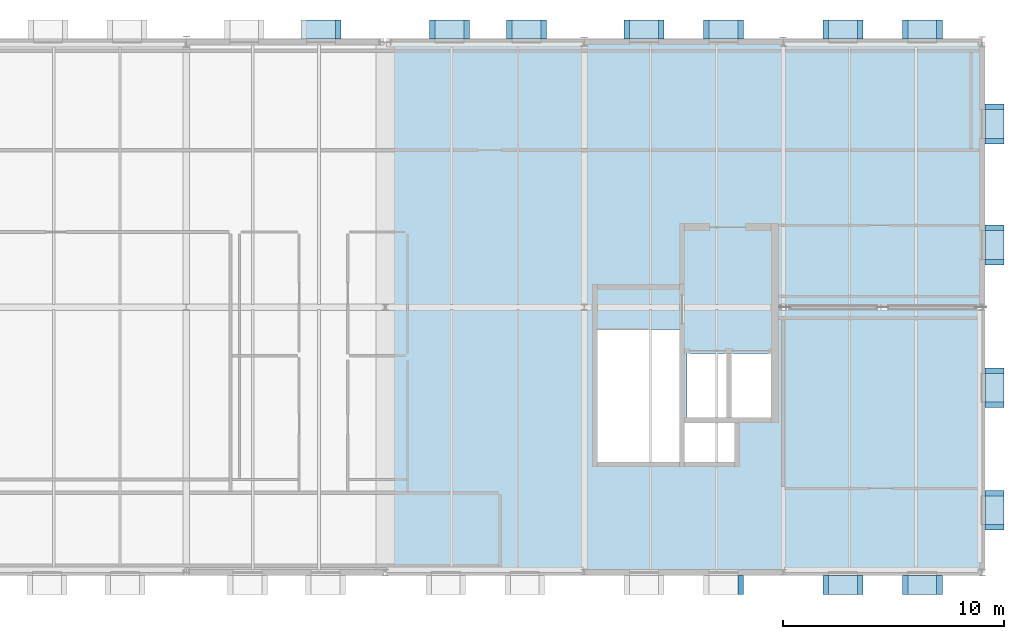
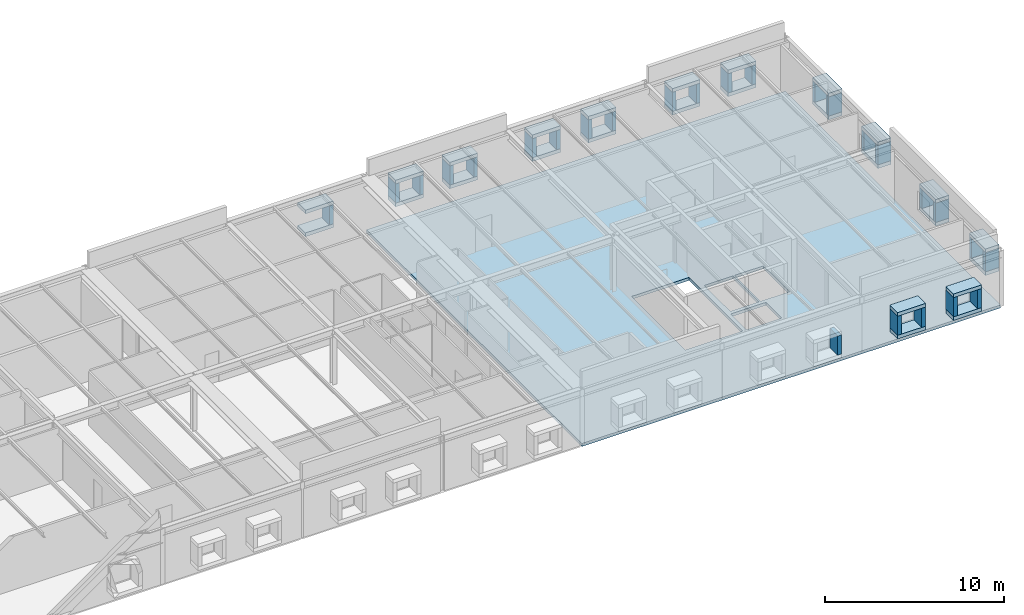
# One storey, part 7 of 16: 52 plates, 1 slab.
"""IFC4 building model written with IfcOpenShell, lengths in metres."""

from ifc_helpers import new_model, si_unit, direction, frame, origin, origin_2d, place, context, subcontext, project, spatial, polyline, rectangle, outline, extrude, material, layer, layer_set, type_object, element, save


model = new_model("IFC4")

# Units and contexts
model_context = context("Model", 3, precision=1e-05, world=origin(), true_north=direction((0.0, 1.0)))
body_context = subcontext(model_context, "Body", "Model", "MODEL_VIEW")
ifc_project = project(units=[si_unit("LENGTHUNIT", "METRE"), si_unit("AREAUNIT", "SQUARE_METRE"), si_unit("VOLUMEUNIT", "CUBIC_METRE"), si_unit("PLANEANGLEUNIT", "RADIAN"), si_unit("MASSUNIT", "GRAM", prefix="KILO")], contexts=[model_context])

# Site, building, storey
site_placement = place(None, origin())
site = spatial("IfcSite", under=ifc_project, at=site_placement, CompositionType="ELEMENT")
building_placement = place(site_placement, origin())
building = spatial("IfcBuilding", under=site, at=building_placement, Name="Montelvaro Courts of Justice", CompositionType="ELEMENT")
storey_placement = place(building_placement, frame((0.0, 0.0, 35.39990234375)))
storey = spatial("IfcBuildingStorey", under=building, at=storey_placement, Name="L08", CompositionType="ELEMENT", Elevation=35.39990234375)

# Slab
ifc_material_1 = material(Name="Concrete C35/45", Category="concrete")
ifc_layer_1 = layer(ifc_material_1, 0.199951171875)
ifc_layer_set_1 = layer_set([ifc_layer_1], Name="Concrete C35/45")
slab_type = type_object("IfcSlabType", Name="FloorSlab_200", PredefinedType="FLOOR", material=ifc_layer_set_1)
slab_placement = place(storey_placement, frame((0.0, 0.0, -0.199951171875)))
element("IfcSlab", 1, at=slab_placement, inside=storey, type_object=slab_type, Name="Structural Slab SF-09 L08", PredefinedType="FLOOR", context=body_context, shape_type="SweptSolid", body=[
    extrude(outline(polyline([(99.050048828125, 0.0), (126.0, 0.0), (126.0, 24.0), (99.050048828125, 24.0), (99.050048828125, 0.0)]), holes=[polyline([(108.60009765625, 5.0), (112.300048828125, 5.0), (112.300048828125, 11.0), (108.60009765625, 11.0), (108.60009765625, 5.0)]), polyline([(112.5400390625, 5.0), (114.800048828125, 5.0), (114.800048828125, 6.760009765625), (112.5400390625, 6.760009765625), (112.5400390625, 5.0)]), polyline([(112.64990234375, 7.0), (114.5, 7.0), (114.5, 9.89990234375), (112.64990234375, 9.89990234375), (112.64990234375, 7.0)]), polyline([(114.60009765625, 7.0), (116.449951171875, 7.0), (116.449951171875, 9.89990234375), (114.60009765625, 9.89990234375), (114.60009765625, 7.0)])]), origin(), (0.0, 0.0, 1.0), 0.199951171875),
])

# Plates
ifc_material_2 = material(Name="White mineral precast concrete C45/55", Category="concrete")
ifc_layer_2 = layer(ifc_material_2, 0.25)
ifc_layer_set_2 = layer_set([ifc_layer_2], Name="White mineral precast concrete C45/55")
plate_type = type_object("IfcPlateType", Name="PrecastSquareFrame_250x850", PredefinedType="SHEET", material=ifc_layer_set_2)
for number, where, z_axis, x_axis, name in (
    (2, (96.093994140625, 24.56005859375, 2.35009765625), (0.0, 0.0, 1.0), (-1.0, 0.0, 0.0), "Graduated Square Window Frame PF-03 W-L08-394 TOP"),
    (3, (96.093994140625, 24.56005859375, 0.800048828125), (0.0, 0.0, 1.0), (-1.0, 0.0, 0.0), "Graduated Square Window Frame PF-03 W-L08-394 BOT"),
):
    element("IfcPlate", number, at=place(storey_placement, frame(where, z_axis=z_axis, x_axis=x_axis)), inside=storey, type_object=plate_type, Name=name, PredefinedType="SHEET", context=body_context, shape_type="SweptSolid", body=[
        extrude(rectangle(XDim=1.800048828125, YDim=0.860107421875, at=origin_2d()), origin(), (0.0, 0.0, 1.0), 0.25),
    ])
for number, where, z_axis, x_axis, name in (
    (4, (96.868896484375, 24.56005859375, 1.05029296875), (0.0, 0.0, 1.0), (-1.0, 0.0, 0.0), "Graduated Square Window Frame PF-03 W-L08-394 L"),
    (5, (115.072021484375, -0.56005859375, 1.05029296875), (0.0, 0.0, 1.0), (1.0, 0.0, 0.0), "Graduated Square Window Frame PF-03 W-L08-401 R"),
):
    element("IfcPlate", number, at=place(storey_placement, frame(where, z_axis=z_axis, x_axis=x_axis)), inside=storey, type_object=plate_type, Name=name, PredefinedType="SHEET", context=body_context, shape_type="SweptSolid", body=[
        extrude(rectangle(XDim=0.25, YDim=0.860107421875, at=origin_2d()), origin(), (0.0, 0.0, 1.0), 1.300048828125),
    ])
for number, where, z_axis, x_axis, name in (
    (6, (119.702880859375, -0.56005859375, 2.35009765625), (0.0, 0.0, 1.0), (1.0, 0.0, 0.0), "Graduated Square Window Frame PF-03 W-L08-402 TOP"),
    (7, (119.702880859375, -0.56005859375, 0.800048828125), (0.0, 0.0, 1.0), (1.0, 0.0, 0.0), "Graduated Square Window Frame PF-03 W-L08-402 BOT"),
):
    element("IfcPlate", number, at=place(storey_placement, frame(where, z_axis=z_axis, x_axis=x_axis)), inside=storey, type_object=plate_type, Name=name, PredefinedType="SHEET", context=body_context, shape_type="SweptSolid", body=[
        extrude(rectangle(XDim=1.800048828125, YDim=0.860107421875, at=origin_2d()), origin(), (0.0, 0.0, 1.0), 0.25),
    ])
for number, where, z_axis, x_axis, name in (
    (8, (118.927978515625, -0.56005859375, 1.05029296875), (0.0, 0.0, 1.0), (1.0, 0.0, 0.0), "Graduated Square Window Frame PF-03 W-L08-402 L"),
    (9, (120.47802734375, -0.56005859375, 1.05029296875), (0.0, 0.0, 1.0), (1.0, 0.0, 0.0), "Graduated Square Window Frame PF-03 W-L08-402 R"),
):
    element("IfcPlate", number, at=place(storey_placement, frame(where, z_axis=z_axis, x_axis=x_axis)), inside=storey, type_object=plate_type, Name=name, PredefinedType="SHEET", context=body_context, shape_type="SweptSolid", body=[
        extrude(rectangle(XDim=0.25, YDim=0.860107421875, at=origin_2d()), origin(), (0.0, 0.0, 1.0), 1.300048828125),
    ])
for number, where, z_axis, x_axis, name in (
    (10, (123.297119140625, -0.56005859375, 2.35009765625), (0.0, 0.0, 1.0), (1.0, 0.0, 0.0), "Graduated Square Window Frame PF-03 W-L08-403 TOP"),
    (11, (123.297119140625, -0.56005859375, 0.800048828125), (0.0, 0.0, 1.0), (1.0, 0.0, 0.0), "Graduated Square Window Frame PF-03 W-L08-403 BOT"),
):
    element("IfcPlate", number, at=place(storey_placement, frame(where, z_axis=z_axis, x_axis=x_axis)), inside=storey, type_object=plate_type, Name=name, PredefinedType="SHEET", context=body_context, shape_type="SweptSolid", body=[
        extrude(rectangle(XDim=1.800048828125, YDim=0.860107421875, at=origin_2d()), origin(), (0.0, 0.0, 1.0), 0.25),
    ])
for number, where, z_axis, x_axis, name in (
    (12, (122.52197265625, -0.56005859375, 1.05029296875), (0.0, 0.0, 1.0), (1.0, 0.0, 0.0), "Graduated Square Window Frame PF-03 W-L08-403 L"),
    (13, (124.072021484375, -0.56005859375, 1.05029296875), (0.0, 0.0, 1.0), (1.0, 0.0, 0.0), "Graduated Square Window Frame PF-03 W-L08-403 R"),
):
    element("IfcPlate", number, at=place(storey_placement, frame(where, z_axis=z_axis, x_axis=x_axis)), inside=storey, type_object=plate_type, Name=name, PredefinedType="SHEET", context=body_context, shape_type="SweptSolid", body=[
        extrude(rectangle(XDim=0.25, YDim=0.860107421875, at=origin_2d()), origin(), (0.0, 0.0, 1.0), 1.300048828125),
    ])
for number, where, z_axis, x_axis, name in (
    (14, (126.56005859375, 2.81005859375, 2.35009765625), (0.0, 0.0, 1.0), (0.0, 1.0, 0.0), "Graduated Square Window Frame PF-03 W-L08-404 TOP"),
    (15, (126.56005859375, 2.81005859375, 0.800048828125), (0.0, 0.0, 1.0), (0.0, 1.0, 0.0), "Graduated Square Window Frame PF-03 W-L08-404 BOT"),
):
    element("IfcPlate", number, at=place(storey_placement, frame(where, z_axis=z_axis, x_axis=x_axis)), inside=storey, type_object=plate_type, Name=name, PredefinedType="SHEET", context=body_context, shape_type="SweptSolid", body=[
        extrude(rectangle(XDim=1.800048828125, YDim=0.860107421875, at=origin_2d()), origin(), (0.0, 0.0, 1.0), 0.25),
    ])
for number, where, z_axis, x_axis, name in (
    (16, (126.56005859375, 2.034912109375, 1.05029296875), (0.0, 0.0, 1.0), (0.0, 1.0, 0.0), "Graduated Square Window Frame PF-03 W-L08-404 L"),
    (17, (126.56005859375, 3.5849609375, 1.05029296875), (0.0, 0.0, 1.0), (0.0, 1.0, 0.0), "Graduated Square Window Frame PF-03 W-L08-404 R"),
):
    element("IfcPlate", number, at=place(storey_placement, frame(where, z_axis=z_axis, x_axis=x_axis)), inside=storey, type_object=plate_type, Name=name, PredefinedType="SHEET", context=body_context, shape_type="SweptSolid", body=[
        extrude(rectangle(XDim=0.25, YDim=0.860107421875, at=origin_2d()), origin(), (0.0, 0.0, 1.0), 1.300048828125),
    ])
for number, where, z_axis, x_axis, name in (
    (18, (126.56005859375, 8.35205078125, 2.35009765625), (0.0, 0.0, 1.0), (0.0, 1.0, 0.0), "Graduated Square Window Frame PF-03 W-L08-405 TOP"),
    (19, (126.56005859375, 8.35205078125, 0.800048828125), (0.0, 0.0, 1.0), (0.0, 1.0, 0.0), "Graduated Square Window Frame PF-03 W-L08-405 BOT"),
):
    element("IfcPlate", number, at=place(storey_placement, frame(where, z_axis=z_axis, x_axis=x_axis)), inside=storey, type_object=plate_type, Name=name, PredefinedType="SHEET", context=body_context, shape_type="SweptSolid", body=[
        extrude(rectangle(XDim=1.800048828125, YDim=0.860107421875, at=origin_2d()), origin(), (0.0, 0.0, 1.0), 0.25),
    ])
for number, where, z_axis, x_axis, name in (
    (20, (126.56005859375, 7.576904296875, 1.05029296875), (0.0, 0.0, 1.0), (0.0, 1.0, 0.0), "Graduated Square Window Frame PF-03 W-L08-405 L"),
    (21, (126.56005859375, 9.126953125, 1.05029296875), (0.0, 0.0, 1.0), (0.0, 1.0, 0.0), "Graduated Square Window Frame PF-03 W-L08-405 R"),
):
    element("IfcPlate", number, at=place(storey_placement, frame(where, z_axis=z_axis, x_axis=x_axis)), inside=storey, type_object=plate_type, Name=name, PredefinedType="SHEET", context=body_context, shape_type="SweptSolid", body=[
        extrude(rectangle(XDim=0.25, YDim=0.860107421875, at=origin_2d()), origin(), (0.0, 0.0, 1.0), 1.300048828125),
    ])
for number, where, z_axis, x_axis, name in (
    (22, (126.56005859375, 14.81005859375, 2.35009765625), (0.0, 0.0, 1.0), (0.0, 1.0, 0.0), "Graduated Square Window Frame PF-03 W-L08-406 TOP"),
    (23, (126.56005859375, 14.81005859375, 0.800048828125), (0.0, 0.0, 1.0), (0.0, 1.0, 0.0), "Graduated Square Window Frame PF-03 W-L08-406 BOT"),
):
    element("IfcPlate", number, at=place(storey_placement, frame(where, z_axis=z_axis, x_axis=x_axis)), inside=storey, type_object=plate_type, Name=name, PredefinedType="SHEET", context=body_context, shape_type="SweptSolid", body=[
        extrude(rectangle(XDim=1.800048828125, YDim=0.860107421875, at=origin_2d()), origin(), (0.0, 0.0, 1.0), 0.25),
    ])
for number, where, z_axis, x_axis, name in (
    (24, (126.56005859375, 14.034912109375, 1.05029296875), (0.0, 0.0, 1.0), (0.0, 1.0, 0.0), "Graduated Square Window Frame PF-03 W-L08-406 L"),
    (25, (126.56005859375, 15.5849609375, 1.05029296875), (0.0, 0.0, 1.0), (0.0, 1.0, 0.0), "Graduated Square Window Frame PF-03 W-L08-406 R"),
):
    element("IfcPlate", number, at=place(storey_placement, frame(where, z_axis=z_axis, x_axis=x_axis)), inside=storey, type_object=plate_type, Name=name, PredefinedType="SHEET", context=body_context, shape_type="SweptSolid", body=[
        extrude(rectangle(XDim=0.25, YDim=0.860107421875, at=origin_2d()), origin(), (0.0, 0.0, 1.0), 1.300048828125),
    ])
for number, where, z_axis, x_axis, name in (
    (26, (126.56005859375, 20.281982421875, 2.35009765625), (0.0, 0.0, 1.0), (0.0, 1.0, 0.0), "Graduated Square Window Frame PF-03 W-L08-407 TOP"),
    (27, (126.56005859375, 20.281982421875, 0.800048828125), (0.0, 0.0, 1.0), (0.0, 1.0, 0.0), "Graduated Square Window Frame PF-03 W-L08-407 BOT"),
):
    element("IfcPlate", number, at=place(storey_placement, frame(where, z_axis=z_axis, x_axis=x_axis)), inside=storey, type_object=plate_type, Name=name, PredefinedType="SHEET", context=body_context, shape_type="SweptSolid", body=[
        extrude(rectangle(XDim=1.800048828125, YDim=0.860107421875, at=origin_2d()), origin(), (0.0, 0.0, 1.0), 0.25),
    ])
for number, where, z_axis, x_axis, name in (
    (28, (126.56005859375, 19.507080078125, 1.05029296875), (0.0, 0.0, 1.0), (0.0, 1.0, 0.0), "Graduated Square Window Frame PF-03 W-L08-407 L"),
    (29, (126.56005859375, 21.056884765625, 1.05029296875), (0.0, 0.0, 1.0), (0.0, 1.0, 0.0), "Graduated Square Window Frame PF-03 W-L08-407 R"),
):
    element("IfcPlate", number, at=place(storey_placement, frame(where, z_axis=z_axis, x_axis=x_axis)), inside=storey, type_object=plate_type, Name=name, PredefinedType="SHEET", context=body_context, shape_type="SweptSolid", body=[
        extrude(rectangle(XDim=0.25, YDim=0.860107421875, at=origin_2d()), origin(), (0.0, 0.0, 1.0), 1.300048828125),
    ])
for number, where, z_axis, x_axis, name in (
    (30, (123.297119140625, 24.56005859375, 2.35009765625), (0.0, 0.0, 1.0), (-1.0, 0.0, 0.0), "Graduated Square Window Frame PF-03 W-L08-408 TOP"),
    (31, (123.297119140625, 24.56005859375, 0.800048828125), (0.0, 0.0, 1.0), (-1.0, 0.0, 0.0), "Graduated Square Window Frame PF-03 W-L08-408 BOT"),
):
    element("IfcPlate", number, at=place(storey_placement, frame(where, z_axis=z_axis, x_axis=x_axis)), inside=storey, type_object=plate_type, Name=name, PredefinedType="SHEET", context=body_context, shape_type="SweptSolid", body=[
        extrude(rectangle(XDim=1.800048828125, YDim=0.860107421875, at=origin_2d()), origin(), (0.0, 0.0, 1.0), 0.25),
    ])
for number, where, z_axis, x_axis, name in (
    (32, (124.072021484375, 24.56005859375, 1.05029296875), (0.0, 0.0, 1.0), (-1.0, 0.0, 0.0), "Graduated Square Window Frame PF-03 W-L08-408 L"),
    (33, (122.52197265625, 24.56005859375, 1.05029296875), (0.0, 0.0, 1.0), (-1.0, 0.0, 0.0), "Graduated Square Window Frame PF-03 W-L08-408 R"),
):
    element("IfcPlate", number, at=place(storey_placement, frame(where, z_axis=z_axis, x_axis=x_axis)), inside=storey, type_object=plate_type, Name=name, PredefinedType="SHEET", context=body_context, shape_type="SweptSolid", body=[
        extrude(rectangle(XDim=0.25, YDim=0.860107421875, at=origin_2d()), origin(), (0.0, 0.0, 1.0), 1.300048828125),
    ])
for number, where, z_axis, x_axis, name in (
    (34, (119.702880859375, 24.56005859375, 2.35009765625), (0.0, 0.0, 1.0), (-1.0, 0.0, 0.0), "Graduated Square Window Frame PF-03 W-L08-409 TOP"),
    (35, (119.702880859375, 24.56005859375, 0.800048828125), (0.0, 0.0, 1.0), (-1.0, 0.0, 0.0), "Graduated Square Window Frame PF-03 W-L08-409 BOT"),
):
    element("IfcPlate", number, at=place(storey_placement, frame(where, z_axis=z_axis, x_axis=x_axis)), inside=storey, type_object=plate_type, Name=name, PredefinedType="SHEET", context=body_context, shape_type="SweptSolid", body=[
        extrude(rectangle(XDim=1.800048828125, YDim=0.860107421875, at=origin_2d()), origin(), (0.0, 0.0, 1.0), 0.25),
    ])
for number, where, z_axis, x_axis, name in (
    (36, (120.47802734375, 24.56005859375, 1.05029296875), (0.0, 0.0, 1.0), (-1.0, 0.0, 0.0), "Graduated Square Window Frame PF-03 W-L08-409 L"),
    (37, (118.927978515625, 24.56005859375, 1.05029296875), (0.0, 0.0, 1.0), (-1.0, 0.0, 0.0), "Graduated Square Window Frame PF-03 W-L08-409 R"),
):
    element("IfcPlate", number, at=place(storey_placement, frame(where, z_axis=z_axis, x_axis=x_axis)), inside=storey, type_object=plate_type, Name=name, PredefinedType="SHEET", context=body_context, shape_type="SweptSolid", body=[
        extrude(rectangle(XDim=0.25, YDim=0.860107421875, at=origin_2d()), origin(), (0.0, 0.0, 1.0), 1.300048828125),
    ])
for number, where, z_axis, x_axis, name in (
    (38, (114.297119140625, 24.56005859375, 2.35009765625), (0.0, 0.0, 1.0), (-1.0, 0.0, 0.0), "Graduated Square Window Frame PF-03 W-L08-410 TOP"),
    (39, (114.297119140625, 24.56005859375, 0.800048828125), (0.0, 0.0, 1.0), (-1.0, 0.0, 0.0), "Graduated Square Window Frame PF-03 W-L08-410 BOT"),
):
    element("IfcPlate", number, at=place(storey_placement, frame(where, z_axis=z_axis, x_axis=x_axis)), inside=storey, type_object=plate_type, Name=name, PredefinedType="SHEET", context=body_context, shape_type="SweptSolid", body=[
        extrude(rectangle(XDim=1.800048828125, YDim=0.860107421875, at=origin_2d()), origin(), (0.0, 0.0, 1.0), 0.25),
    ])
for number, where, z_axis, x_axis, name in (
    (40, (115.072021484375, 24.56005859375, 1.05029296875), (0.0, 0.0, 1.0), (-1.0, 0.0, 0.0), "Graduated Square Window Frame PF-03 W-L08-410 L"),
    (41, (113.52197265625, 24.56005859375, 1.05029296875), (0.0, 0.0, 1.0), (-1.0, 0.0, 0.0), "Graduated Square Window Frame PF-03 W-L08-410 R"),
):
    element("IfcPlate", number, at=place(storey_placement, frame(where, z_axis=z_axis, x_axis=x_axis)), inside=storey, type_object=plate_type, Name=name, PredefinedType="SHEET", context=body_context, shape_type="SweptSolid", body=[
        extrude(rectangle(XDim=0.25, YDim=0.860107421875, at=origin_2d()), origin(), (0.0, 0.0, 1.0), 1.300048828125),
    ])
for number, where, z_axis, x_axis, name in (
    (42, (110.702880859375, 24.56005859375, 2.35009765625), (0.0, 0.0, 1.0), (-1.0, 0.0, 0.0), "Graduated Square Window Frame PF-03 W-L08-411 TOP"),
    (43, (110.702880859375, 24.56005859375, 0.800048828125), (0.0, 0.0, 1.0), (-1.0, 0.0, 0.0), "Graduated Square Window Frame PF-03 W-L08-411 BOT"),
):
    element("IfcPlate", number, at=place(storey_placement, frame(where, z_axis=z_axis, x_axis=x_axis)), inside=storey, type_object=plate_type, Name=name, PredefinedType="SHEET", context=body_context, shape_type="SweptSolid", body=[
        extrude(rectangle(XDim=1.800048828125, YDim=0.860107421875, at=origin_2d()), origin(), (0.0, 0.0, 1.0), 0.25),
    ])
for number, where, z_axis, x_axis, name in (
    (44, (111.47802734375, 24.56005859375, 1.05029296875), (0.0, 0.0, 1.0), (-1.0, 0.0, 0.0), "Graduated Square Window Frame PF-03 W-L08-411 L"),
    (45, (109.927978515625, 24.56005859375, 1.05029296875), (0.0, 0.0, 1.0), (-1.0, 0.0, 0.0), "Graduated Square Window Frame PF-03 W-L08-411 R"),
):
    element("IfcPlate", number, at=place(storey_placement, frame(where, z_axis=z_axis, x_axis=x_axis)), inside=storey, type_object=plate_type, Name=name, PredefinedType="SHEET", context=body_context, shape_type="SweptSolid", body=[
        extrude(rectangle(XDim=0.25, YDim=0.860107421875, at=origin_2d()), origin(), (0.0, 0.0, 1.0), 1.300048828125),
    ])
for number, where, z_axis, x_axis, name in (
    (46, (105.384033203125, 24.56005859375, 2.35009765625), (0.0, 0.0, 1.0), (-1.0, 0.0, 0.0), "Graduated Square Window Frame PF-03 W-L08-412 TOP"),
    (47, (105.384033203125, 24.56005859375, 0.800048828125), (0.0, 0.0, 1.0), (-1.0, 0.0, 0.0), "Graduated Square Window Frame PF-03 W-L08-412 BOT"),
):
    element("IfcPlate", number, at=place(storey_placement, frame(where, z_axis=z_axis, x_axis=x_axis)), inside=storey, type_object=plate_type, Name=name, PredefinedType="SHEET", context=body_context, shape_type="SweptSolid", body=[
        extrude(rectangle(XDim=1.800048828125, YDim=0.860107421875, at=origin_2d()), origin(), (0.0, 0.0, 1.0), 0.25),
    ])
for number, where, z_axis, x_axis, name in (
    (48, (106.158935546875, 24.56005859375, 1.05029296875), (0.0, 0.0, 1.0), (-1.0, 0.0, 0.0), "Graduated Square Window Frame PF-03 W-L08-412 L"),
    (49, (104.60888671875, 24.56005859375, 1.05029296875), (0.0, 0.0, 1.0), (-1.0, 0.0, 0.0), "Graduated Square Window Frame PF-03 W-L08-412 R"),
):
    element("IfcPlate", number, at=place(storey_placement, frame(where, z_axis=z_axis, x_axis=x_axis)), inside=storey, type_object=plate_type, Name=name, PredefinedType="SHEET", context=body_context, shape_type="SweptSolid", body=[
        extrude(rectangle(XDim=0.25, YDim=0.860107421875, at=origin_2d()), origin(), (0.0, 0.0, 1.0), 1.300048828125),
    ])
for number, where, z_axis, x_axis, name in (
    (50, (101.906005859375, 24.56005859375, 2.35009765625), (0.0, 0.0, 1.0), (-1.0, 0.0, 0.0), "Graduated Square Window Frame PF-03 W-L08-413 TOP"),
    (51, (101.906005859375, 24.56005859375, 0.800048828125), (0.0, 0.0, 1.0), (-1.0, 0.0, 0.0), "Graduated Square Window Frame PF-03 W-L08-413 BOT"),
):
    element("IfcPlate", number, at=place(storey_placement, frame(where, z_axis=z_axis, x_axis=x_axis)), inside=storey, type_object=plate_type, Name=name, PredefinedType="SHEET", context=body_context, shape_type="SweptSolid", body=[
        extrude(rectangle(XDim=1.800048828125, YDim=0.860107421875, at=origin_2d()), origin(), (0.0, 0.0, 1.0), 0.25),
    ])
for number, where, z_axis, x_axis, name in (
    (52, (102.680908203125, 24.56005859375, 1.05029296875), (0.0, 0.0, 1.0), (-1.0, 0.0, 0.0), "Graduated Square Window Frame PF-03 W-L08-413 L"),
    (53, (101.131103515625, 24.56005859375, 1.05029296875), (0.0, 0.0, 1.0), (-1.0, 0.0, 0.0), "Graduated Square Window Frame PF-03 W-L08-413 R"),
):
    element("IfcPlate", number, at=place(storey_placement, frame(where, z_axis=z_axis, x_axis=x_axis)), inside=storey, type_object=plate_type, Name=name, PredefinedType="SHEET", context=body_context, shape_type="SweptSolid", body=[
        extrude(rectangle(XDim=0.25, YDim=0.860107421875, at=origin_2d()), origin(), (0.0, 0.0, 1.0), 1.300048828125),
    ])

save(model, "model.ifc")
